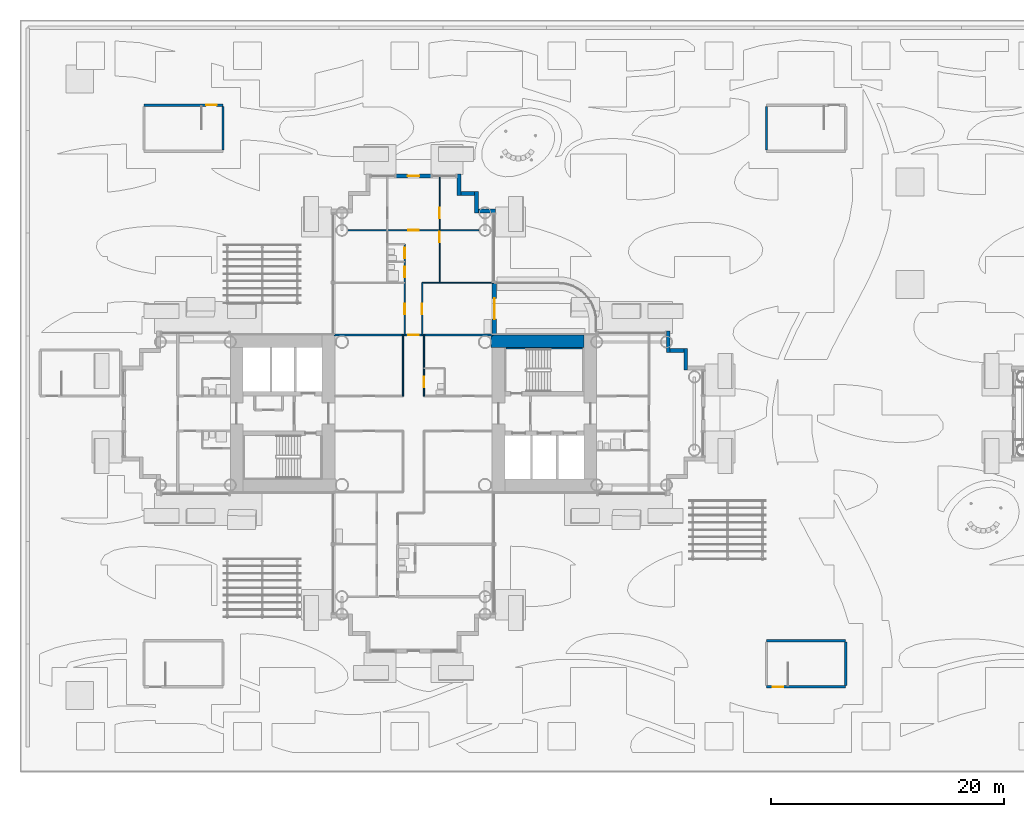
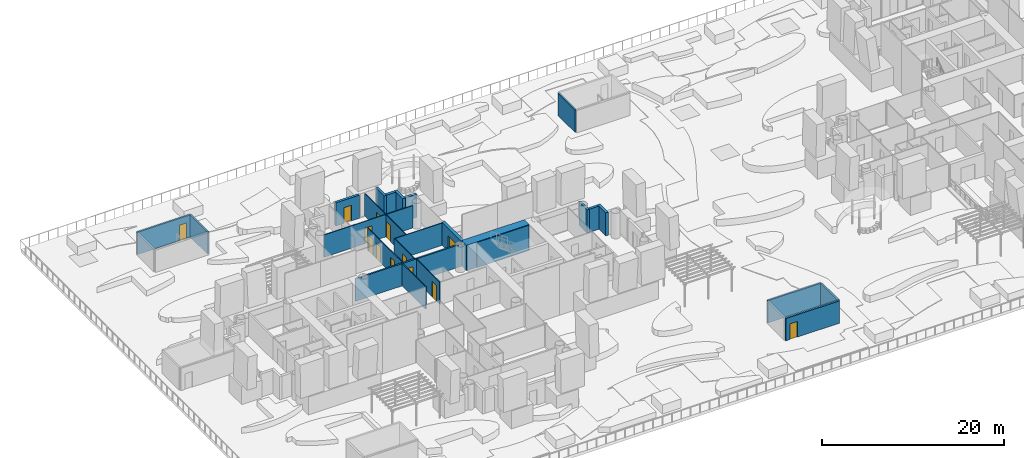
# One storey, part 26 of 40: 25 walls, 13 doors, 13 openings.
"""IFC4 building model written with IfcOpenShell, lengths in metres."""

from ifc_helpers import new_model, si_unit, direction, frame, frame_2d, origin, place, context, subcontext, project, spatial, rectangle, extrude, material, layer, layer_set, type_object, element, fill, save


model = new_model("IFC4")

# Units and contexts
model_context = context("Model", 3, precision=1e-05, world=origin(), true_north=direction((0.0, 1.0)))
body_context = subcontext(model_context, "Body", "Model", "MODEL_VIEW")
ifc_project = project(units=[si_unit("LENGTHUNIT", "METRE"), si_unit("AREAUNIT", "SQUARE_METRE"), si_unit("VOLUMEUNIT", "CUBIC_METRE"), si_unit("PLANEANGLEUNIT", "RADIAN"), si_unit("MASSUNIT", "GRAM", prefix="KILO")], contexts=[model_context])

# Site, building, storey
site_placement = place(None, origin())
site = spatial("IfcSite", under=ifc_project, at=site_placement, CompositionType="ELEMENT")
building_placement = place(site_placement, origin())
building = spatial("IfcBuilding", under=site, at=building_placement, Name="Ipe Terrace Towers", CompositionType="ELEMENT")
storey_placement = place(building_placement, frame((0.0, 0.0, 24.5)))
storey = spatial("IfcBuildingStorey", under=building, at=storey_placement, Name="L05", CompositionType="ELEMENT", Elevation=24.5)

# Wall, opening, door
ifc_material_1 = material(Name="Concrete C40/50 with buff precast cladding", Category="concrete")
ifc_layer_1 = layer(ifc_material_1, 0.39990234375)
ifc_layer_set_1 = layer_set([ifc_layer_1], Name="BALCONY BAY WALL 400")
wall_type_1 = type_object("IfcWallType", Name="BALCONY BAY WALL 400", PredefinedType="STANDARD", material=ifc_layer_set_1)
wall_1_placement = place(storey_placement, frame((-29.050048828125, 6.75, 0.0), z_axis=(0.0, 0.0, 1.0), x_axis=(0.0, 1.0, 0.0)))
wall_1 = element("IfcWall", 1, at=wall_1_placement, inside=storey, type_object=wall_type_1, Name="T1-W-L05-32a wall", PredefinedType="STANDARD", context=body_context, shape_type="SweptSolid", body=[
    extrude(rectangle(XDim=4.5, YDim=0.39990234375, at=frame_2d((2.25, 0.0))), origin(), (0.0, 0.0, 1.0), 3.10009765625),
])
opening_1_placement = place(wall_1_placement, frame((1.35009765625, 0.0, 0.0)))
opening_1 = element("IfcOpeningElement", 2, at=opening_1_placement, cuts=wall_1, Name="Opening T1-D-L05-32", PredefinedType="OPENING", context=body_context, shape_type="SweptSolid", body=[
    extrude(rectangle(XDim=1.800048828125, YDim=2.10009765625, at=frame_2d((0.89990234375, 1.050048828125))), frame((0.0, 0.2099609375, 0.0), z_axis=(0.0, -1.0, 0.0), x_axis=(1.0, 0.0, 0.0)), (0.0, 0.0, 1.0), 0.419921875),
])
ifc_material_2 = material(Name="Aluminium alloy 6063-T6 framed glazed door", Category="aluminium")
door_type_1 = type_object("IfcDoorType", Name="BALCONY DOOR 1800 x 2100 LEFT", OperationType="SINGLE_SWING_LEFT", PredefinedType="DOOR", material=ifc_material_2)
door_1_placement = place(opening_1_placement, origin())
door_1 = element("IfcDoor", 3, at=door_1_placement, inside=storey, type_object=door_type_1, Name="DB1 door", OperationType="SINGLE_SWING_LEFT", OverallHeight=2.10009765625, OverallWidth=1.800048828125, PredefinedType="DOOR", context=body_context, shape_type="SweptSolid", body=[
    extrude(rectangle(XDim=1.800048828125, YDim=2.10009765625, at=frame_2d((0.89990234375, 1.050048828125))), frame((0.0, 0.02490234375, 0.0), z_axis=(0.0, -1.0, 0.0), x_axis=(1.0, 0.0, 0.0)), (0.0, 0.0, 1.0), 0.050048828125),
])
fill(opening_1, door_1)

# Walls
ifc_material_3 = material(Name="Concrete C40/50 with buff precast cladding", Category="concrete")
ifc_layer_2 = layer(ifc_material_3, 0.320068359375)
ifc_layer_set_2 = layer_set([ifc_layer_2], Name="BUFF CLADDING WALL 320")
wall_type_2 = type_object("IfcWallType", Name="BUFF CLADDING WALL 320", PredefinedType="STANDARD", material=ifc_layer_set_2)
wall_2_placement = place(storey_placement, frame((-12.590087890625, 3.75, 0.0), z_axis=(0.0, 0.0, 1.0), x_axis=(0.0, 1.0, 0.0)))
element("IfcWall", 4, at=wall_2_placement, inside=storey, type_object=wall_type_2, Name="T1-W-L05-27a wall", PredefinedType="STANDARD", context=body_context, shape_type="SweptSolid", body=[
    extrude(rectangle(XDim=1.820068359375, YDim=0.320068359375, at=frame_2d((0.91015625, 0.0))), origin(), (0.0, 0.0, 1.0), 3.10009765625),
])
wall_3_placement = place(storey_placement, frame((-12.75, 5.409912109375, 0.0), z_axis=(0.0, 0.0, 1.0), x_axis=(-1.0, 0.0, 0.0)))
element("IfcWall", 5, at=wall_3_placement, inside=storey, type_object=wall_type_2, Name="T1-W-L05-28a wall", PredefinedType="STANDARD", context=body_context, shape_type="SweptSolid", body=[
    extrude(rectangle(XDim=1.179931640625, YDim=0.320068359375, at=frame_2d((0.58984375, 0.0))), origin(), (0.0, 0.0, 1.0), 3.10009765625),
])
wall_4_placement = place(storey_placement, frame((-14.090087890625, 5.25, 0.0), z_axis=(0.0, 0.0, 1.0), x_axis=(0.0, 1.0, 0.0)))
element("IfcWall", 6, at=wall_4_placement, inside=storey, type_object=wall_type_2, Name="T1-W-L05-29a wall", PredefinedType="STANDARD", context=body_context, shape_type="SweptSolid", body=[
    extrude(rectangle(XDim=1.820068359375, YDim=0.320068359375, at=frame_2d((0.91015625, 0.0))), origin(), (0.0, 0.0, 1.0), 3.10009765625),
])
wall_5_placement = place(storey_placement, frame((-28.929931640625, 17.409912109375, 0.0), z_axis=(0.0, 0.0, 1.0), x_axis=(-1.0, 0.0, 0.0)))
element("IfcWall", 7, at=wall_5_placement, inside=storey, type_object=wall_type_2, Name="T1-W-L05-34a wall", PredefinedType="STANDARD", context=body_context, shape_type="SweptSolid", body=[
    extrude(rectangle(XDim=1.5, YDim=0.320068359375, at=frame_2d((0.75, 0.0))), origin(), (0.0, 0.0, 1.0), 3.10009765625),
])
wall_6_placement = place(storey_placement, frame((-30.590087890625, 17.25, 0.0), z_axis=(0.0, 0.0, 1.0), x_axis=(0.0, 1.0, 0.0)))
element("IfcWall", 8, at=wall_6_placement, inside=storey, type_object=wall_type_2, Name="T1-W-L05-35a wall", PredefinedType="STANDARD", context=body_context, shape_type="SweptSolid", body=[
    extrude(rectangle(XDim=1.820068359375, YDim=0.320068359375, at=frame_2d((0.91015625, 0.0))), origin(), (0.0, 0.0, 1.0), 3.10009765625),
])
wall_7_placement = place(storey_placement, frame((-30.75, 18.909912109375, 0.0), z_axis=(0.0, 0.0, 1.0), x_axis=(-1.0, 0.0, 0.0)))
element("IfcWall", 9, at=wall_7_placement, inside=storey, type_object=wall_type_2, Name="T1-W-L05-36a wall", PredefinedType="STANDARD", context=body_context, shape_type="SweptSolid", body=[
    extrude(rectangle(XDim=1.179931640625, YDim=0.320068359375, at=frame_2d((0.58984375, 0.0))), origin(), (0.0, 0.0, 1.0), 3.10009765625),
])
wall_8_placement = place(storey_placement, frame((-32.090087890625, 18.75, 0.0), z_axis=(0.0, 0.0, 1.0), x_axis=(0.0, 1.0, 0.0)))
element("IfcWall", 10, at=wall_8_placement, inside=storey, type_object=wall_type_2, Name="T1-W-L05-37a wall", PredefinedType="STANDARD", context=body_context, shape_type="SweptSolid", body=[
    extrude(rectangle(XDim=1.820068359375, YDim=0.320068359375, at=frame_2d((0.91015625, 0.0))), origin(), (0.0, 0.0, 1.0), 3.10009765625),
])

# Wall, opening, door
wall_9_placement = place(storey_placement, frame((-34.5, 20.409912109375, 0.0), z_axis=(0.0, 0.0, 1.0), x_axis=(-1.0, 0.0, 0.0)))
wall_9 = element("IfcWall", 11, at=wall_9_placement, inside=storey, type_object=wall_type_2, Name="T1-W-L05-38b wall", PredefinedType="STANDARD", context=body_context, shape_type="SweptSolid", body=[
    extrude(rectangle(XDim=3.0, YDim=0.320068359375, at=frame_2d((1.5, 0.0))), origin(), (0.0, 0.0, 1.0), 3.10009765625),
])
opening_2_placement = place(wall_9_placement, frame((1.0, 0.0, 0.0)))
opening_2 = element("IfcOpeningElement", 12, at=opening_2_placement, cuts=wall_9, Name="Opening T1-D-L05-38", PredefinedType="OPENING", context=body_context, shape_type="SweptSolid", body=[
    extrude(rectangle(XDim=1.0, YDim=2.10009765625, at=frame_2d((0.5, 1.050048828125))), frame((0.0, 0.169921875, 0.0), z_axis=(0.0, -1.0, 0.0), x_axis=(1.0, 0.0, 0.0)), (0.0, 0.0, 1.0), 0.340087890625),
])
ifc_material_4 = material(Name="Aluminium alloy 6063-T6 framed glazed door", Category="aluminium")
door_type_2 = type_object("IfcDoorType", Name="TERRACE DOOR 1000 x 2100", OperationType="SINGLE_SWING_LEFT", PredefinedType="DOOR", material=ifc_material_4)
door_2_placement = place(opening_2_placement, origin())
door_2 = element("IfcDoor", 13, at=door_2_placement, inside=storey, type_object=door_type_2, Name="DT1 door", OperationType="SINGLE_SWING_LEFT", OverallHeight=2.10009765625, OverallWidth=1.0, PredefinedType="DOOR", context=body_context, shape_type="SweptSolid", body=[
    extrude(rectangle(XDim=1.0, YDim=2.10009765625, at=frame_2d((0.5, 1.050048828125))), frame((0.0, 0.02490234375, 0.0), z_axis=(0.0, -1.0, 0.0), x_axis=(1.0, 0.0, 0.0)), (0.0, 0.0, 1.0), 0.050048828125),
])
fill(opening_2, door_2)

# Wall
ifc_material_5 = material(Name="Gypsum board partition", Category="plasterboard")
ifc_layer_3 = layer(ifc_material_5, 0.10009765625)
ifc_layer_set_3 = layer_set([ifc_layer_3], Name="Gypsum board partition 100 mm")
wall_type_3 = type_object("IfcWallType", Name="Gypsum board partition 100 mm", PredefinedType="PARTITIONING", material=ifc_layer_set_3)
wall_10_placement = place(storey_placement, frame((-36.89990234375, 1.5, 0.0), z_axis=(0.0, 0.0, 1.0), x_axis=(0.0, 1.0, 0.0)))
element("IfcWall", 14, at=wall_10_placement, inside=storey, type_object=wall_type_3, Name="Gypsum board partition T1 L05 W11", PredefinedType="PARTITIONING", context=body_context, shape_type="SweptSolid", body=[
    extrude(rectangle(XDim=5.25, YDim=0.10009765625, at=frame_2d((2.625, 0.0))), origin(), (0.0, 0.0, 1.0), 3.0),
])

# Wall, openings, doors
wall_11_placement = place(storey_placement, frame((-36.75, 6.75, 0.0), z_axis=(0.0, 0.0, 1.0), x_axis=(0.0, 1.0, 0.0)))
wall_11 = element("IfcWall", 15, at=wall_11_placement, inside=storey, type_object=wall_type_3, Name="Gypsum board partition T1 L05 W12", PredefinedType="PARTITIONING", context=body_context, shape_type="SweptSolid", body=[
    extrude(rectangle(XDim=7.800048828125, YDim=0.10009765625, at=frame_2d((3.89990234375, 0.0))), origin(), (0.0, 0.0, 1.0), 3.0),
])
opening_3_placement = place(wall_11_placement, frame((1.800048828125, 0.0, 0.0)))
opening_3 = element("IfcOpeningElement", 16, at=opening_3_placement, cuts=wall_11, Name="Opening T1-Z1A-06", PredefinedType="OPENING", context=body_context, shape_type="SweptSolid", body=[
    extrude(rectangle(XDim=0.89990234375, YDim=2.10009765625, at=frame_2d((0.449951171875, 1.050048828125))), frame((0.0, 0.06005859375, 0.0), z_axis=(0.0, -1.0, 0.0), x_axis=(1.0, 0.0, 0.0)), (0.0, 0.0, 1.0), 0.1201171875),
])
opening_4_placement = place(wall_11_placement, frame((4.949951171875, 0.0, 0.0)))
opening_4 = element("IfcOpeningElement", 17, at=opening_4_placement, cuts=wall_11, Name="Opening T1-Z1A-09", PredefinedType="OPENING", context=body_context, shape_type="SweptSolid", body=[
    extrude(rectangle(XDim=0.89990234375, YDim=2.10009765625, at=frame_2d((0.449951171875, 1.050048828125))), frame((0.0, 0.06005859375, 0.0), z_axis=(0.0, -1.0, 0.0), x_axis=(1.0, 0.0, 0.0)), (0.0, 0.0, 1.0), 0.1201171875),
])
opening_5_placement = place(wall_11_placement, frame((6.60009765625, 0.0, 0.0)))
opening_5 = element("IfcOpeningElement", 18, at=opening_5_placement, cuts=wall_11, Name="Opening T1-Z1A-10", PredefinedType="OPENING", context=body_context, shape_type="SweptSolid", body=[
    extrude(rectangle(XDim=0.89990234375, YDim=2.10009765625, at=frame_2d((0.449951171875, 1.050048828125))), frame((0.0, 0.06005859375, 0.0), z_axis=(0.0, -1.0, 0.0), x_axis=(1.0, 0.0, 0.0)), (0.0, 0.0, 1.0), 0.1201171875),
])
ifc_material_6 = material(Name="Timber door leaf", Category="wood")
door_type_3 = type_object("IfcDoorType", Name="Bathroom door 900 x 2100", OperationType="NOTDEFINED", PredefinedType="DOOR", material=ifc_material_6)
door_3_placement = place(opening_4_placement, origin())
door_3 = element("IfcDoor", 19, at=door_3_placement, inside=storey, type_object=door_type_3, Name="Bathroom door T1-Z1A-09", OperationType="SINGLE_SWING_LEFT", OverallHeight=2.10009765625, OverallWidth=0.89990234375, PredefinedType="DOOR", context=body_context, shape_type="SweptSolid", body=[
    extrude(rectangle(XDim=0.89990234375, YDim=2.10009765625, at=frame_2d((0.449951171875, 1.050048828125))), frame((0.0, 0.02490234375, 0.0), z_axis=(0.0, -1.0, 0.0), x_axis=(1.0, 0.0, 0.0)), (0.0, 0.0, 1.0), 0.050048828125),
])
fill(opening_4, door_3)
door_4_placement = place(opening_5_placement, origin())
door_4 = element("IfcDoor", 20, at=door_4_placement, inside=storey, type_object=door_type_3, Name="Bathroom door T1-Z1A-10", OperationType="SINGLE_SWING_LEFT", OverallHeight=2.10009765625, OverallWidth=0.89990234375, PredefinedType="DOOR", context=body_context, shape_type="SweptSolid", body=[
    extrude(rectangle(XDim=0.89990234375, YDim=2.10009765625, at=frame_2d((0.449951171875, 1.050048828125))), frame((0.0, 0.02490234375, 0.0), z_axis=(0.0, -1.0, 0.0), x_axis=(1.0, 0.0, 0.0)), (0.0, 0.0, 1.0), 0.050048828125),
])
fill(opening_5, door_4)
ifc_material_7 = material(Name="Timber door leaf", Category="wood")
door_type_4 = type_object("IfcDoorType", Name="Lounge door 900 x 2100", OperationType="NOTDEFINED", PredefinedType="DOOR", material=ifc_material_7)
door_5_placement = place(opening_3_placement, origin())
door_5 = element("IfcDoor", 21, at=door_5_placement, inside=storey, type_object=door_type_4, Name="Lounge door T1-Z1A-06", OperationType="SINGLE_SWING_RIGHT", OverallHeight=2.10009765625, OverallWidth=0.89990234375, PredefinedType="DOOR", context=body_context, shape_type="SweptSolid", body=[
    extrude(rectangle(XDim=0.89990234375, YDim=2.10009765625, at=frame_2d((0.449951171875, 1.050048828125))), frame((0.0, 0.02490234375, 0.0), z_axis=(0.0, -1.0, 0.0), x_axis=(1.0, 0.0, 0.0)), (0.0, 0.0, 1.0), 0.050048828125),
])
fill(opening_3, door_5)

# Wall, opening, door
wall_12_placement = place(storey_placement, frame((-35.25, 6.75, 0.0), z_axis=(0.0, 0.0, 1.0), x_axis=(0.0, 1.0, 0.0)))
wall_12 = element("IfcWall", 22, at=wall_12_placement, inside=storey, type_object=wall_type_3, Name="Gypsum board partition T1 L05 W14", PredefinedType="PARTITIONING", context=body_context, shape_type="SweptSolid", body=[
    extrude(rectangle(XDim=4.5, YDim=0.10009765625, at=frame_2d((2.25, 0.0))), origin(), (0.0, 0.0, 1.0), 3.0),
])
opening_6_placement = place(wall_12_placement, frame((1.800048828125, 0.0, 0.0)))
opening_6 = element("IfcOpeningElement", 23, at=opening_6_placement, cuts=wall_12, Name="Opening T1-Z1A-07", PredefinedType="OPENING", context=body_context, shape_type="SweptSolid", body=[
    extrude(rectangle(XDim=0.89990234375, YDim=2.10009765625, at=frame_2d((0.449951171875, 1.050048828125))), frame((0.0, 0.06005859375, 0.0), z_axis=(0.0, -1.0, 0.0), x_axis=(1.0, 0.0, 0.0)), (0.0, 0.0, 1.0), 0.1201171875),
])
door_6_placement = place(opening_6_placement, origin())
door_6 = element("IfcDoor", 24, at=door_6_placement, inside=storey, type_object=door_type_4, Name="Lounge door T1-Z1A-07", OperationType="SINGLE_SWING_RIGHT", OverallHeight=2.10009765625, OverallWidth=0.89990234375, PredefinedType="DOOR", context=body_context, shape_type="SweptSolid", body=[
    extrude(rectangle(XDim=0.89990234375, YDim=2.10009765625, at=frame_2d((0.449951171875, 1.050048828125))), frame((0.0, 0.02490234375, 0.0), z_axis=(0.0, -1.0, 0.0), x_axis=(1.0, 0.0, 0.0)), (0.0, 0.0, 1.0), 0.050048828125),
])
fill(opening_6, door_6)

wall_13_placement = place(storey_placement, frame((-35.10009765625, 1.5, 0.0), z_axis=(0.0, 0.0, 1.0), x_axis=(0.0, 1.0, 0.0)))
wall_13 = element("IfcWall", 25, at=wall_13_placement, inside=storey, type_object=wall_type_3, Name="Gypsum board partition T1 L05 W16", PredefinedType="PARTITIONING", context=body_context, shape_type="SweptSolid", body=[
    extrude(rectangle(XDim=5.25, YDim=0.10009765625, at=frame_2d((2.625, 0.0))), origin(), (0.0, 0.0, 1.0), 3.0),
])
opening_7_placement = place(wall_13_placement, frame((0.75, 0.0, 0.0)))
opening_7 = element("IfcOpeningElement", 26, at=opening_7_placement, cuts=wall_13, Name="Opening T1-Z1A-01", PredefinedType="OPENING", context=body_context, shape_type="SweptSolid", body=[
    extrude(rectangle(XDim=0.89990234375, YDim=2.10009765625, at=frame_2d((0.449951171875, 1.050048828125))), frame((0.0, 0.06005859375, 0.0), z_axis=(0.0, -1.0, 0.0), x_axis=(1.0, 0.0, 0.0)), (0.0, 0.0, 1.0), 0.1201171875),
])
door_7_placement = place(opening_7_placement, origin())
door_7 = element("IfcDoor", 27, at=door_7_placement, inside=storey, type_object=door_type_3, Name="Bathroom door T1-Z1A-01", OperationType="SINGLE_SWING_LEFT", OverallHeight=2.10009765625, OverallWidth=0.89990234375, PredefinedType="DOOR", context=body_context, shape_type="SweptSolid", body=[
    extrude(rectangle(XDim=0.89990234375, YDim=2.10009765625, at=frame_2d((0.449951171875, 1.050048828125))), frame((0.0, 0.02490234375, 0.0), z_axis=(0.0, -1.0, 0.0), x_axis=(1.0, 0.0, 0.0)), (0.0, 0.0, 1.0), 0.050048828125),
])
fill(opening_7, door_7)

# Wall, openings, doors
wall_14_placement = place(storey_placement, frame((-33.75, 11.25, 0.0), z_axis=(0.0, 0.0, 1.0), x_axis=(0.0, 1.0, 0.0)))
wall_14 = element("IfcWall", 28, at=wall_14_placement, inside=storey, type_object=wall_type_3, Name="Gypsum board partition T1 L05 W17", PredefinedType="PARTITIONING", context=body_context, shape_type="SweptSolid", body=[
    extrude(rectangle(XDim=9.10009765625, YDim=0.10009765625, at=frame_2d((4.550048828125, 0.0))), origin(), (0.0, 0.0, 1.0), 3.0),
])
opening_8_placement = place(wall_14_placement, frame((3.449951171875, 0.0, 0.0)))
opening_8 = element("IfcOpeningElement", 29, at=opening_8_placement, cuts=wall_14, Name="Opening T1-Z1A-12", PredefinedType="OPENING", context=body_context, shape_type="SweptSolid", body=[
    extrude(rectangle(XDim=0.89990234375, YDim=2.10009765625, at=frame_2d((0.449951171875, 1.050048828125))), frame((0.0, 0.06005859375, 0.0), z_axis=(0.0, -1.0, 0.0), x_axis=(1.0, 0.0, 0.0)), (0.0, 0.0, 1.0), 0.1201171875),
])
opening_9_placement = place(wall_14_placement, frame((5.550048828125, 0.0, 0.0)))
opening_9 = element("IfcOpeningElement", 30, at=opening_9_placement, cuts=wall_14, Name="Opening T1-Z1A-15", PredefinedType="OPENING", context=body_context, shape_type="SweptSolid", body=[
    extrude(rectangle(XDim=0.89990234375, YDim=2.10009765625, at=frame_2d((0.449951171875, 1.050048828125))), frame((0.0, 0.06005859375, 0.0), z_axis=(0.0, -1.0, 0.0), x_axis=(1.0, 0.0, 0.0)), (0.0, 0.0, 1.0), 0.1201171875),
])
ifc_material_8 = material(Name="Timber door leaf", Category="wood")
door_type_5 = type_object("IfcDoorType", Name="Bedroom door 900 x 2100", OperationType="NOTDEFINED", PredefinedType="DOOR", material=ifc_material_8)
door_8_placement = place(opening_8_placement, origin())
door_8 = element("IfcDoor", 31, at=door_8_placement, inside=storey, type_object=door_type_5, Name="Bedroom door T1-Z1A-12", OperationType="SINGLE_SWING_LEFT", OverallHeight=2.10009765625, OverallWidth=0.89990234375, PredefinedType="DOOR", context=body_context, shape_type="SweptSolid", body=[
    extrude(rectangle(XDim=0.89990234375, YDim=2.10009765625, at=frame_2d((0.449951171875, 1.050048828125))), frame((0.0, 0.02490234375, 0.0), z_axis=(0.0, -1.0, 0.0), x_axis=(1.0, 0.0, 0.0)), (0.0, 0.0, 1.0), 0.050048828125),
])
fill(opening_8, door_8)
door_9_placement = place(opening_9_placement, origin())
door_9 = element("IfcDoor", 32, at=door_9_placement, inside=storey, type_object=door_type_5, Name="Bedroom door T1-Z1A-15", OperationType="SINGLE_SWING_RIGHT", OverallHeight=2.10009765625, OverallWidth=0.89990234375, PredefinedType="DOOR", context=body_context, shape_type="SweptSolid", body=[
    extrude(rectangle(XDim=0.89990234375, YDim=2.10009765625, at=frame_2d((0.449951171875, 1.050048828125))), frame((0.0, 0.02490234375, 0.0), z_axis=(0.0, -1.0, 0.0), x_axis=(1.0, 0.0, 0.0)), (0.0, 0.0, 1.0), 0.050048828125),
])
fill(opening_9, door_9)

# Wall
wall_15_placement = place(storey_placement, frame((-35.25, 11.25, 0.0), z_axis=(0.0, 0.0, 1.0), x_axis=(1.0, 0.0, 0.0)))
element("IfcWall", 33, at=wall_15_placement, inside=storey, type_object=wall_type_3, Name="Gypsum board partition T1 L05 W44", PredefinedType="PARTITIONING", context=body_context, shape_type="SweptSolid", body=[
    extrude(rectangle(XDim=6.10009765625, YDim=0.10009765625, at=frame_2d((3.050048828125, 0.0))), origin(), (0.0, 0.0, 1.0), 3.0),
])

# Wall, opening, door
wall_16_placement = place(storey_placement, frame((-41.64990234375, 15.75, 0.0), z_axis=(0.0, 0.0, 1.0), x_axis=(1.0, 0.0, 0.0)))
wall_16 = element("IfcWall", 34, at=wall_16_placement, inside=storey, type_object=wall_type_3, Name="Gypsum board partition T1 L05 W47", PredefinedType="PARTITIONING", context=body_context, shape_type="SweptSolid", body=[
    extrude(rectangle(XDim=11.2998046875, YDim=0.10009765625, at=frame_2d((5.64990234375, 0.0))), origin(), (0.0, 0.0, 1.0), 3.0),
])
opening_10_placement = place(wall_16_placement, frame((5.199951171875, 0.0, 0.0)))
opening_10 = element("IfcOpeningElement", 35, at=opening_10_placement, cuts=wall_16, Name="Opening T1-Z1A-13", PredefinedType="OPENING", context=body_context, shape_type="SweptSolid", body=[
    extrude(rectangle(XDim=0.89990234375, YDim=2.10009765625, at=frame_2d((0.449951171875, 1.050048828125))), frame((0.0, 0.06005859375, 0.0), z_axis=(0.0, -1.0, 0.0), x_axis=(1.0, 0.0, 0.0)), (0.0, 0.0, 1.0), 0.1201171875),
])
door_10_placement = place(opening_10_placement, origin())
door_10 = element("IfcDoor", 36, at=door_10_placement, inside=storey, type_object=door_type_4, Name="Lounge door T1-Z1A-13", OperationType="SINGLE_SWING_LEFT", OverallHeight=2.10009765625, OverallWidth=0.89990234375, PredefinedType="DOOR", context=body_context, shape_type="SweptSolid", body=[
    extrude(rectangle(XDim=0.89990234375, YDim=2.10009765625, at=frame_2d((0.449951171875, 1.050048828125))), frame((0.0, 0.02490234375, 0.0), z_axis=(0.0, -1.0, 0.0), x_axis=(1.0, 0.0, 0.0)), (0.0, 0.0, 1.0), 0.050048828125),
])
fill(opening_10, door_10)

ifc_material_9 = material(Name="Gypsum board party wall", Category="plasterboard")
ifc_layer_4 = layer(ifc_material_9, 0.199951171875)
ifc_layer_set_4 = layer_set([ifc_layer_4], Name="Gypsum board party wall 200 mm")
wall_type_4 = type_object("IfcWallType", Name="Gypsum board party wall 200 mm", PredefinedType="SOLIDWALL", material=ifc_layer_set_4)
wall_17_placement = place(storey_placement, frame((-42.85009765625, 6.75, 0.0), z_axis=(0.0, 0.0, 1.0), x_axis=(1.0, 0.0, 0.0)))
wall_17 = element("IfcWall", 37, at=wall_17_placement, inside=storey, type_object=wall_type_4, Name="Gypsum board party wall T1 L05 W42", PredefinedType="SOLIDWALL", context=body_context, shape_type="SweptSolid", body=[
    extrude(rectangle(XDim=13.7001953125, YDim=0.199951171875, at=frame_2d((6.85009765625, 0.0))), origin(), (0.0, 0.0, 1.0), 3.0),
])
opening_11_placement = place(wall_17_placement, frame((6.39990234375, 0.0, 0.0)))
opening_11 = element("IfcOpeningElement", 38, at=opening_11_placement, cuts=wall_17, Name="Opening T1-Z1A-08", PredefinedType="OPENING", context=body_context, shape_type="SweptSolid", body=[
    extrude(rectangle(XDim=0.89990234375, YDim=2.10009765625, at=frame_2d((0.449951171875, 1.050048828125))), frame((0.0, 0.10986328125, 0.0), z_axis=(0.0, -1.0, 0.0), x_axis=(1.0, 0.0, 0.0)), (0.0, 0.0, 1.0), 0.219970703125),
])
ifc_material_10 = material(Name="Fire-rated timber door leaf", Category="wood")
door_type_6 = type_object("IfcDoorType", Name="Flat entrance door 900 x 2100 FD30S", OperationType="NOTDEFINED", PredefinedType="DOOR", material=ifc_material_10)
door_11_placement = place(opening_11_placement, origin())
door_11 = element("IfcDoor", 39, at=door_11_placement, inside=storey, type_object=door_type_6, Name="Flat entrance door T1-Z1A-08", OperationType="SINGLE_SWING_LEFT", OverallHeight=2.10009765625, OverallWidth=0.89990234375, PredefinedType="DOOR", context=body_context, shape_type="SweptSolid", body=[
    extrude(rectangle(XDim=0.89990234375, YDim=2.10009765625, at=frame_2d((0.449951171875, 1.050048828125))), frame((0.0, 0.02490234375, 0.0), z_axis=(0.0, -1.0, 0.0), x_axis=(1.0, 0.0, 0.0)), (0.0, 0.0, 1.0), 0.050048828125),
])
fill(opening_11, door_11)

# Walls
ifc_material_11 = material(Name="Concrete C60/75", Category="concrete")
ifc_layer_5 = layer(ifc_material_11, 0.10009765625)
ifc_layer_set_5 = layer_set([ifc_layer_5], Name="RW100 CORE INFILL WALL 100 C60-75")
wall_type_5 = type_object("IfcWallType", Name="RW100 CORE INFILL WALL 100 C60-75", PredefinedType="SHEAR", material=ifc_layer_set_5)
wall_18_placement = place(storey_placement, frame((-28.050048828125, 5.60009765625, 0.0), z_axis=(0.0, 0.0, 1.0), x_axis=(1.0, 0.0, 0.0)))
element("IfcWall", 40, at=wall_18_placement, inside=storey, type_object=wall_type_5, Name="Core infill wall T1-C1-back", PredefinedType="SHEAR", context=body_context, shape_type="SweptSolid", body=[
    extrude(rectangle(XDim=6.60009765625, YDim=0.10009765625, at=frame_2d((3.300048828125, 0.0))), origin(), (0.0, 0.0, 1.0), 3.39990234375),
])
ifc_material_12 = material(Name="Concrete C60/75", Category="concrete")
ifc_layer_6 = layer(ifc_material_12, 1.10009765625)
ifc_layer_set_6 = layer_set([ifc_layer_6], Name="RW1100 CORE WALL 1100 C60-75")
wall_type_6 = type_object("IfcWallType", Name="RW1100 CORE WALL 1100 C60-75", PredefinedType="SHEAR", material=ifc_layer_set_6)
wall_19_placement = place(storey_placement, frame((-21.35009765625, 6.199951171875, 0.0), z_axis=(0.0, 0.0, 1.0), x_axis=(-1.0, 0.0, 0.0)))
element("IfcWall", 41, at=wall_19_placement, inside=storey, type_object=wall_type_6, Name="Core wall T1-C1-Z1-W03", PredefinedType="SHEAR", context=body_context, shape_type="SweptSolid", body=[
    extrude(rectangle(XDim=7.997802734375, YDim=1.10009765625, at=frame_2d((3.9990234375, 0.0))), origin(), (0.0, 0.0, 1.0), 3.39990234375),
])

# Wall, opening, door
ifc_material_13 = material(Name="Concrete C40/50", Category="concrete")
ifc_layer_7 = layer(ifc_material_13, 0.199951171875)
ifc_layer_set_7 = layer_set([ifc_layer_7], Name="RW200 PODIUM STAIR SHAFT WALL 200 C40-50")
wall_type_7 = type_object("IfcWallType", Name="RW200 PODIUM STAIR SHAFT WALL 200 C40-50", PredefinedType="SHEAR", material=ifc_layer_set_7)
wall_20_placement = place(storey_placement, frame((-59.169921875, 26.5, 0.0), z_axis=(0.0, 0.0, 1.0), x_axis=(1.0, 0.0, 0.0)))
wall_20 = element("IfcWall", 42, at=wall_20_placement, inside=storey, type_object=wall_type_7, Name="Stair shaft wall T1 L05 ps1-c", PredefinedType="SHEAR", context=body_context, shape_type="SweptSolid", body=[
    extrude(rectangle(XDim=6.7998046875, YDim=0.199951171875, at=frame_2d((3.39990234375, 0.0))), origin(), (0.0, 0.0, 1.0), 3.0),
])
opening_12_placement = place(wall_20_placement, frame((5.35009765625, 0.0, 0.0)))
opening_12 = element("IfcOpeningElement", 43, at=opening_12_placement, cuts=wall_20, Name="Opening PS1-SD", PredefinedType="OPENING", context=body_context, shape_type="SweptSolid", body=[
    extrude(rectangle(XDim=0.89990234375, YDim=2.10009765625, at=frame_2d((0.449951171875, 1.050048828125))), frame((0.0, 0.10986328125, 0.0), z_axis=(0.0, -1.0, 0.0), x_axis=(1.0, 0.0, 0.0)), (0.0, 0.0, 1.0), 0.219970703125),
])
ifc_material_14 = material(Name="Fire-rated timber door leaf", Category="wood")
door_type_7 = type_object("IfcDoorType", Name="Stair door 900 x 2100 FD60", OperationType="NOTDEFINED", PredefinedType="DOOR", material=ifc_material_14)
door_12_placement = place(opening_12_placement, origin())
door_12 = element("IfcDoor", 44, at=door_12_placement, inside=storey, type_object=door_type_7, Name="Stair door PS1-SD", OperationType="SINGLE_SWING_LEFT", OverallHeight=2.10009765625, OverallWidth=0.89990234375, PredefinedType="DOOR", context=body_context, shape_type="SweptSolid", body=[
    extrude(rectangle(XDim=0.89990234375, YDim=2.10009765625, at=frame_2d((0.449951171875, 1.050048828125))), frame((0.0, 0.02490234375, 0.0), z_axis=(0.0, -1.0, 0.0), x_axis=(1.0, 0.0, 0.0)), (0.0, 0.0, 1.0), 0.050048828125),
])
fill(opening_12, door_12)

# Walls
for number, where, z_axis, x_axis, name in (
    (45, (-52.3701171875, 22.64990234375, 0.0), (0.0, 0.0, 1.0), (0.0, 1.0, 0.0), "Stair shaft wall T1 L05 ps1-e"),
    (46, (-5.64990234375, 22.64990234375, 0.0), (0.0, 0.0, 1.0), (0.0, 1.0, 0.0), "Stair shaft wall T1 L05 ps2-w"),
):
    element("IfcWall", number, at=place(storey_placement, frame(where, z_axis=z_axis, x_axis=x_axis)), inside=storey, type_object=wall_type_7, Name=name, PredefinedType="SHEAR", context=body_context, shape_type="SweptSolid", body=[
        extrude(rectangle(XDim=3.75, YDim=0.199951171875, at=frame_2d((1.875, 0.0))), origin(), (0.0, 0.0, 1.0), 3.0),
    ])

# Wall, opening, door
wall_21_placement = place(storey_placement, frame((-5.64990234375, -23.5, 0.0), z_axis=(0.0, 0.0, 1.0), x_axis=(1.0, 0.0, 0.0)))
wall_21 = element("IfcWall", 47, at=wall_21_placement, inside=storey, type_object=wall_type_7, Name="Stair shaft wall T1 L05 ps5-c", PredefinedType="SHEAR", context=body_context, shape_type="SweptSolid", body=[
    extrude(rectangle(XDim=6.7998046875, YDim=0.199951171875, at=frame_2d((3.39990234375, 0.0))), origin(), (0.0, 0.0, 1.0), 3.0),
])
opening_13_placement = place(wall_21_placement, frame((0.550048828125, 0.0, 0.0)))
opening_13 = element("IfcOpeningElement", 48, at=opening_13_placement, cuts=wall_21, Name="Opening PS5-SD", PredefinedType="OPENING", context=body_context, shape_type="SweptSolid", body=[
    extrude(rectangle(XDim=0.89990234375, YDim=2.10009765625, at=frame_2d((0.449951171875, 1.050048828125))), frame((0.0, 0.10986328125, 0.0), z_axis=(0.0, -1.0, 0.0), x_axis=(1.0, 0.0, 0.0)), (0.0, 0.0, 1.0), 0.219970703125),
])
door_13_placement = place(opening_13_placement, origin())
door_13 = element("IfcDoor", 49, at=door_13_placement, inside=storey, type_object=door_type_7, Name="Stair door PS5-SD", OperationType="SINGLE_SWING_RIGHT", OverallHeight=2.10009765625, OverallWidth=0.89990234375, PredefinedType="DOOR", context=body_context, shape_type="SweptSolid", body=[
    extrude(rectangle(XDim=0.89990234375, YDim=2.10009765625, at=frame_2d((0.449951171875, 1.050048828125))), frame((0.0, 0.02490234375, 0.0), z_axis=(0.0, -1.0, 0.0), x_axis=(1.0, 0.0, 0.0)), (0.0, 0.0, 1.0), 0.050048828125),
])
fill(opening_13, door_13)

# Walls
wall_22_placement = place(storey_placement, frame((-5.64990234375, -19.550048828125, 0.0), z_axis=(0.0, 0.0, 1.0), x_axis=(1.0, 0.0, 0.0)))
element("IfcWall", 50, at=wall_22_placement, inside=storey, type_object=wall_type_7, Name="Stair shaft wall T1 L05 ps5-f", PredefinedType="SHEAR", context=body_context, shape_type="SweptSolid", body=[
    extrude(rectangle(XDim=6.7998046875, YDim=0.199951171875, at=frame_2d((3.39990234375, 0.0))), origin(), (0.0, 0.0, 1.0), 3.0),
])
wall_23_placement = place(storey_placement, frame((1.14990234375, -23.39990234375, 0.0), z_axis=(0.0, 0.0, 1.0), x_axis=(0.0, 1.0, 0.0)))
element("IfcWall", 51, at=wall_23_placement, inside=storey, type_object=wall_type_7, Name="Stair shaft wall T1 L05 ps5-e", PredefinedType="SHEAR", context=body_context, shape_type="SweptSolid", body=[
    extrude(rectangle(XDim=3.75, YDim=0.199951171875, at=frame_2d((1.875, 0.0))), origin(), (0.0, 0.0, 1.0), 3.0),
])

save(model, "model.ifc")
